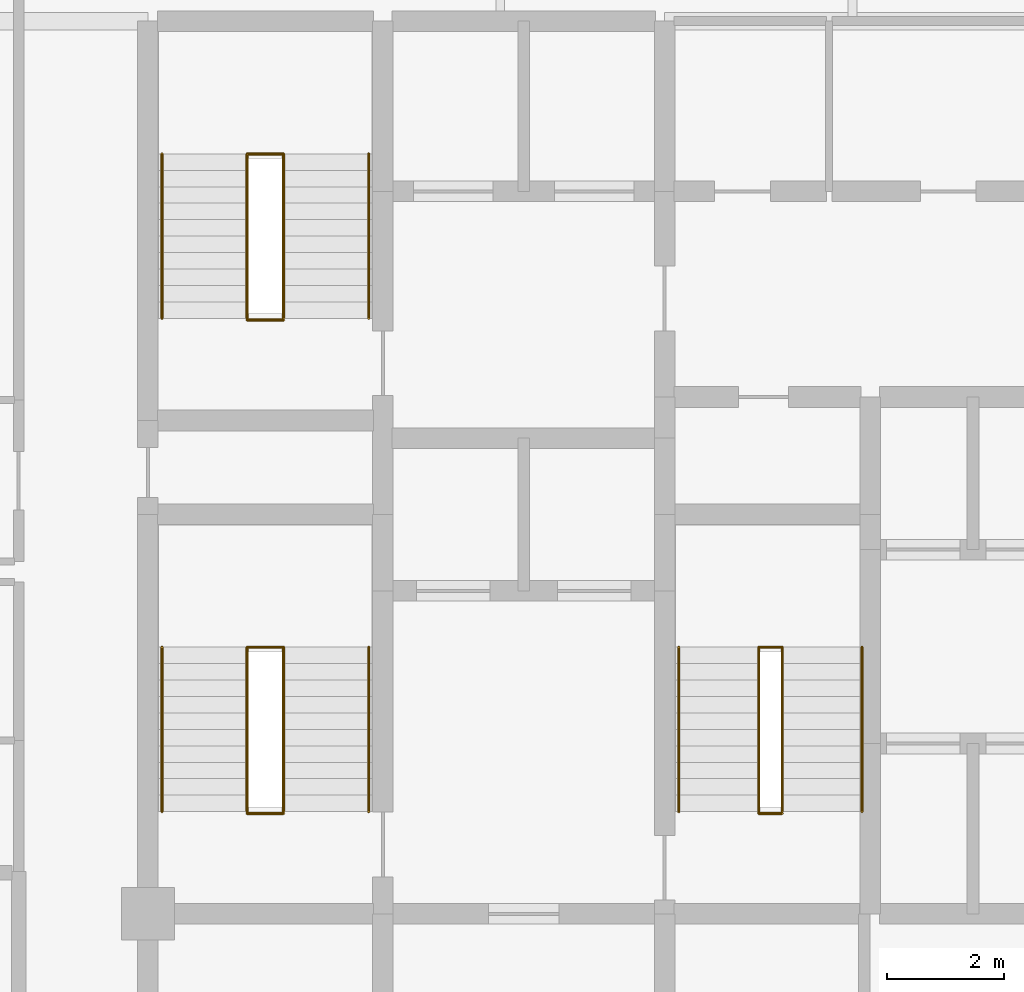
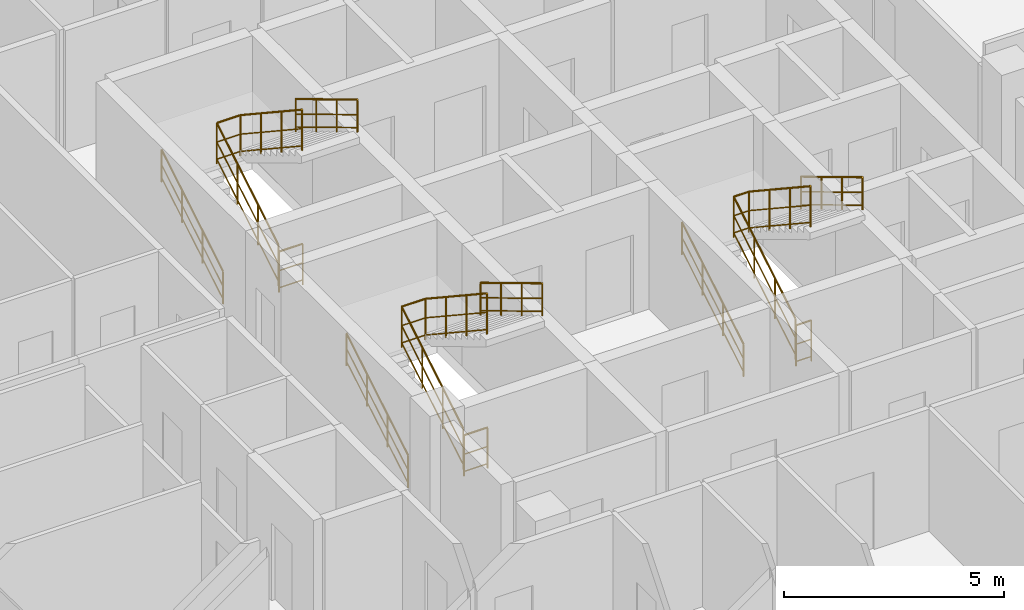
# One storey, part 32 of 32: 12 railings.
"""IFC4 building model written with IfcOpenShell, lengths in metres."""

import ifcopenshell
import ifcopenshell.guid

model = None  # the IFC model being written
_history = None  # IfcOwnerHistory: only IFC2X3 demands one
_inside = {}  # id of a spatial element -> (the spatial element, [elements in it])
_under = {}  # id of a project, library or spatial element -> (it, [spatial elements below it])
_declared = {}  # id of a project -> (the project, [libraries it declares])
_typed = {}  # id of a type object -> (the type object, [elements of that type])
_made_of = {}  # id of a material, layer set ... -> (it, [elements and type objects made of it])


def new_model(schema):
    """Start an empty IFC model of exactly this schema.

    Asked for "IFC4X3", IfcOpenShell would pick the latest addendum, in which some entities
    have other attributes; the version numbers below select the first issue.
    IFC2X3 requires an IfcOwnerHistory on every rooted entity: one is made here for all.
    """
    global model, _history
    if schema == "IFC4X3":
        model = ifcopenshell.file(schema_version=(4, 3, 0, 0))
    else:
        model = ifcopenshell.file(schema=schema)
    _inside.clear()
    _under.clear()
    _declared.clear()
    _typed.clear()
    _made_of.clear()
    _history = None
    if model.schema == "IFC2X3":
        org = make("IfcOrganization", Name="unknown")
        user = make(
            "IfcPersonAndOrganization",
            ThePerson=make("IfcPerson", FamilyName="unknown"),
            TheOrganization=org,
        )
        app = make(
            "IfcApplication",
            ApplicationDeveloper=org,
            Version="unknown",
            ApplicationFullName="unknown",
            ApplicationIdentifier="unknown",
        )
        _history = make(
            "IfcOwnerHistory",
            OwningUser=user,
            OwningApplication=app,
            ChangeAction="ADDED",
            CreationDate=0,
        )
    return model


def make(cls, **values):
    """One entity of the class cls with the attributes given. An attribute that is None is left unset."""
    return model.create_entity(
        cls, **{name: value for name, value in values.items() if value is not None}
    )


def rooted(cls, **values):
    """An entity with a GlobalId (a new one), such as an element, a storey or a relation."""
    return make(cls, GlobalId=ifcopenshell.guid.new(), OwnerHistory=_history, **values)


def si_unit(unit_type, name, prefix=None):
    """IfcSIUnit, for example si_unit("LENGTHUNIT", "METRE", prefix="MILLI")."""
    return make("IfcSIUnit", UnitType=unit_type, Prefix=prefix, Name=name)


def assignment(units):
    """IfcUnitAssignment: the units of a project."""
    return None if units is None else make("IfcUnitAssignment", Units=units)


def point(xyz):
    """IfcCartesianPoint."""
    return None if xyz is None else make("IfcCartesianPoint", Coordinates=xyz)


def direction(xyz):
    """IfcDirection."""
    return None if xyz is None else make("IfcDirection", DirectionRatios=xyz)


def frame(location, z_axis=None, x_axis=None):
    """IfcAxis2Placement3D, a coordinate frame: its origin and axes. An axis left out is left unset."""
    return make(
        "IfcAxis2Placement3D",
        Location=point(location),
        Axis=direction(z_axis),
        RefDirection=direction(x_axis),
    )


def frame_2d(location, x_axis=None):
    """IfcAxis2Placement2D, a coordinate frame in the plane: its origin and x axis."""
    return make(
        "IfcAxis2Placement2D", Location=point(location), RefDirection=direction(x_axis)
    )


def origin():
    """The frame at (0, 0, 0) with its axes left unset."""
    return frame((0.0, 0.0, 0.0))


def origin_2d():
    """The frame at (0, 0) in the plane with its x axis left unset."""
    return frame_2d((0.0, 0.0))


def place(relative_to, where):
    """IfcLocalPlacement: puts the frame where relative to a parent placement (None: the world)."""
    return make(
        "IfcLocalPlacement", PlacementRelTo=relative_to, RelativePlacement=where
    )


def context(
    kind, dimensions, precision=None, world=None, true_north=None, identifier=None
):
    """IfcGeometricRepresentationContext, for example the 3D "Model" context."""
    return make(
        "IfcGeometricRepresentationContext",
        ContextIdentifier=identifier,
        ContextType=kind,
        CoordinateSpaceDimension=dimensions,
        Precision=precision,
        WorldCoordinateSystem=world,
        TrueNorth=true_north,
    )


def subcontext(parent, identifier, kind, view, scale=None):
    """IfcGeometricRepresentationSubContext, for example "Body" below "Model"."""
    return make(
        "IfcGeometricRepresentationSubContext",
        ContextIdentifier=identifier,
        ContextType=kind,
        ParentContext=parent,
        TargetScale=scale,
        TargetView=view,
    )


def project(units=None, contexts=None):
    """IfcProject with its units and contexts."""
    return rooted(
        "IfcProject",
        Name="project",
        RepresentationContexts=contexts,
        UnitsInContext=assignment(units),
    )


def spatial(cls, under=None, at=None, **own):
    """A site, building, storey or space (cls), placed at a placement, below another one or the project."""
    s = rooted(cls, ObjectPlacement=at, **own)
    if under is not None:
        _under.setdefault(under.id(), (under, []))[1].append(s)
    return s


def profile(cls, at=None, kind="AREA", **sizes):
    """A parametric profile (cls). Its sizes go by their IFC names, for example OverallWidth=200.0."""
    return make(cls, ProfileType=kind, Position=at, **sizes)


def circle(**sizes):
    """IfcCircleProfileDef."""
    return profile("IfcCircleProfileDef", **sizes)


def extrude(swept, where, along, depth):
    """IfcExtrudedAreaSolid: the profile swept, set in the frame where, extruded along a direction by depth."""
    return make(
        "IfcExtrudedAreaSolid",
        SweptArea=swept,
        Position=where,
        ExtrudedDirection=direction(along),
        Depth=depth,
    )


def shape(context_of_items, identifier, shape_type, items):
    """IfcShapeRepresentation: the items that make up one representation, for example the "Body"."""
    return make(
        "IfcShapeRepresentation",
        ContextOfItems=context_of_items,
        RepresentationIdentifier=identifier,
        RepresentationType=shape_type,
        Items=items,
    )


def material(Name=None, Category=None):
    """IfcMaterial."""
    return make("IfcMaterial", Name=Name, Category=Category)


def layer(
    of_material, thickness, ventilated=None, Name=None, Category=None, Priority=None
):
    """IfcMaterialLayer: one layer of a wall or slab, of a material (None: an air gap)."""
    return make(
        "IfcMaterialLayer",
        Material=of_material,
        LayerThickness=thickness,
        IsVentilated=ventilated,
        Name=Name,
        Category=Category,
        Priority=Priority,
    )


def layer_set(layers, Name=None):
    """IfcMaterialLayerSet."""
    return make("IfcMaterialLayerSet", MaterialLayers=layers, LayerSetName=Name)


def made_of(thing, what):
    """Note that an element or type object is made of a material, layer set ...; save() writes the relation."""
    if what is not None:
        _made_of.setdefault(what.id(), (what, []))[1].append(thing)
    return thing


def type_object(cls, material=None, **own):
    """A type object (cls), such as IfcWallType, which elements share."""
    return made_of(rooted(cls, **own), material)


def element(
    cls,
    number,
    at=None,
    inside=None,
    cuts=None,
    type_object=None,
    material=None,
    context=None,
    identifier="Body",
    shape_type=None,
    held_by="IfcProductDefinitionShape",
    body=None,
    shapes=None,
    **own,
):
    """One element of the class cls, such as IfcWall. Its Tag is "e" and its number.

    at: its placement. inside: the storey or other place that contains it. cuts: it is an
    opening in that element (IfcRelVoidsElement). A single representation is given by context,
    identifier, shape_type and body (its items); several are given by shapes. held_by: the class
    of the entity that holds the representations. save() writes the other relations.
    """
    e = rooted(cls, Tag="e%d" % number, ObjectPlacement=at, **own)
    if body is not None:
        shapes = [shape(context, identifier, shape_type, body)]
    if shapes is not None:
        e.Representation = make(held_by, Representations=shapes)
    if inside is not None:
        _inside.setdefault(inside.id(), (inside, []))[1].append(e)
    if cuts is not None:
        rooted(
            "IfcRelVoidsElement", RelatingBuildingElement=cuts, RelatedOpeningElement=e
        )
    if type_object is not None:
        _typed.setdefault(type_object.id(), (type_object, []))[1].append(e)
    return made_of(e, material)


def aggregate(whole, parts):
    """IfcRelAggregates: a whole, such as a stair, and the parts it consists of."""
    return rooted("IfcRelAggregates", RelatingObject=whole, RelatedObjects=parts)


def save(model, path):
    """Write the relations noted so far, then the file.

    IfcRelAggregates (storeys below a building ...), IfcRelContainedInSpatialStructure (elements
    in a storey), IfcRelDefinesByType, IfcRelAssociatesMaterial and IfcRelDeclares: one each for
    every whole, place, type object, material and project.
    """
    for whole, parts in _under.values():
        aggregate(whole, parts)
    for where, things in _inside.values():
        rooted(
            "IfcRelContainedInSpatialStructure",
            RelatedElements=things,
            RelatingStructure=where,
        )
    for kind, things in _typed.values():
        rooted("IfcRelDefinesByType", RelatedObjects=things, RelatingType=kind)
    for what, things in _made_of.values():
        rooted("IfcRelAssociatesMaterial", RelatedObjects=things, RelatingMaterial=what)
    for by, libraries in _declared.values():
        rooted("IfcRelDeclares", RelatingContext=by, RelatedDefinitions=libraries)
    model.write(path)


model = new_model("IFC4")

# Units and contexts
model_context = context("Model", 3, precision=1e-05, world=origin(), true_north=direction((0.0, 1.0)))
body_context = subcontext(model_context, "Body", "Model", "MODEL_VIEW")
ifc_project = project(units=[si_unit("LENGTHUNIT", "METRE"), si_unit("AREAUNIT", "SQUARE_METRE"), si_unit("VOLUMEUNIT", "CUBIC_METRE"), si_unit("PLANEANGLEUNIT", "RADIAN"), si_unit("MASSUNIT", "GRAM", prefix="KILO")], contexts=[model_context])

# Site, building, storey
site_placement = place(None, origin())
site = spatial("IfcSite", under=ifc_project, at=site_placement, CompositionType="ELEMENT")
building_placement = place(site_placement, origin())
building = spatial("IfcBuilding", under=site, at=building_placement, Name="Keshet Zoharim Tower", CompositionType="ELEMENT")
storey_placement = place(building_placement, frame((0.0, 0.0, 137.199951171875)))
storey = spatial("IfcBuildingStorey", under=building, at=storey_placement, Name="L33", CompositionType="ELEMENT", Elevation=137.199951171875)

# Railings
ifc_material = material(Name="Steel S355", Category="steel")
ifc_layer_1 = layer(ifc_material, 0.050048828125)
ifc_layer_set_1 = layer_set([ifc_layer_1], Name="Steel S355")
railing_type_1 = type_object("IfcRailingType", Name="RL-HND-092", PredefinedType="HANDRAIL", material=ifc_layer_set_1)
railing_1_placement = place(storey_placement, frame((15.239990234375, 24.43994140625, 0.168212890625)))
element("IfcRailing", 1, at=railing_1_placement, inside=storey, type_object=railing_type_1, Name="L33 ST-01 Flight 1 Wall Handrail", PredefinedType="HANDRAIL", context=body_context, shape_type="SweptSolid", body=[
    extrude(circle(Radius=0.02392578125, at=origin_2d()), frame((0.0, 0.0, 0.89599609375), z_axis=(0.0, 0.857242210791, 0.514913383045), x_axis=(-1.0, 0.0, 0.0)), (0.0, 0.0, 1.0), 3.266357421875),
    extrude(circle(Radius=0.01611328125, at=origin_2d()), frame((0.0, 0.0, 0.478271484375), z_axis=(0.0, 0.857242210791, 0.514913383045), x_axis=(-1.0, 0.0, 0.0)), (0.0, 0.0, 1.0), 3.266357421875),
    extrude(circle(Radius=0.01611328125, at=origin_2d()), frame((0.0, 0.0, 0.1201171875), z_axis=(0.0, 0.857242210791, 0.514913383045), x_axis=(-1.0, 0.0, 0.0)), (0.0, 0.0, 1.0), 3.266357421875),
    extrude(circle(Radius=0.02099609375, at=origin_2d()), origin(), (0.0, 0.0, 1.0), 0.871826171875),
    extrude(circle(Radius=0.02099609375, at=origin_2d()), frame((0.0, 0.933349609375, 0.560546875)), (0.0, 0.0, 1.0), 0.871826171875),
    extrude(circle(Radius=0.02099609375, at=origin_2d()), frame((0.0, 1.86669921875, 1.121337890625)), (0.0, 0.0, 1.0), 0.871826171875),
    extrude(circle(Radius=0.02099609375, at=origin_2d()), frame((0.0, 2.800048828125, 1.681884765625)), (0.0, 0.0, 1.0), 0.871826171875),
])
railing_2_placement = place(storey_placement, frame((18.760009765625, 27.239990234375, 2.018310546875)))
element("IfcRailing", 2, at=railing_2_placement, inside=storey, type_object=railing_type_1, Name="L33 ST-01 Flight 2 Wall Handrail", PredefinedType="HANDRAIL", context=body_context, shape_type="SweptSolid", body=[
    extrude(circle(Radius=0.02392578125, at=origin_2d()), frame((0.0, 0.0, 0.89599609375), z_axis=(0.0, -0.857275202839, 0.514858452973), x_axis=(1.0, 0.0, 0.0)), (0.0, 0.0, 1.0), 3.26611328125),
    extrude(circle(Radius=0.01611328125, at=origin_2d()), frame((0.0, 0.0, 0.478271484375), z_axis=(0.0, -0.857275202839, 0.514858452973), x_axis=(1.0, 0.0, 0.0)), (0.0, 0.0, 1.0), 3.26611328125),
    extrude(circle(Radius=0.01611328125, at=origin_2d()), frame((0.0, 0.0, 0.1201171875), z_axis=(0.0, -0.857275202839, 0.514858452973), x_axis=(1.0, 0.0, 0.0)), (0.0, 0.0, 1.0), 3.26611328125),
    extrude(circle(Radius=0.02099609375, at=origin_2d()), origin(), (0.0, 0.0, 1.0), 0.871826171875),
    extrude(circle(Radius=0.02099609375, at=origin_2d()), frame((0.0, -0.933349609375, 0.560546875)), (0.0, 0.0, 1.0), 0.871826171875),
    extrude(circle(Radius=0.02099609375, at=origin_2d()), frame((0.0, -1.86669921875, 1.12109375)), (0.0, 0.0, 1.0), 0.871826171875),
    extrude(circle(Radius=0.02099609375, at=origin_2d()), frame((0.0, -2.800048828125, 1.681640625)), (0.0, 0.0, 1.0), 0.871826171875),
])
railing_3_placement = place(storey_placement, frame((15.239990234375, 32.840087890625, 0.168212890625)))
element("IfcRailing", 3, at=railing_3_placement, inside=storey, type_object=railing_type_1, Name="L33 ST-02 Flight 1 Wall Handrail", PredefinedType="HANDRAIL", context=body_context, shape_type="SweptSolid", body=[
    extrude(circle(Radius=0.02392578125, at=origin_2d()), frame((0.0, 0.0, 0.89599609375), z_axis=(0.0, 0.857222391501, 0.514946377315), x_axis=(-1.0, 0.0, 0.0)), (0.0, 0.0, 1.0), 3.26611328125),
    extrude(circle(Radius=0.01611328125, at=origin_2d()), frame((0.0, 0.0, 0.478271484375), z_axis=(0.0, 0.857222391501, 0.514946377315), x_axis=(-1.0, 0.0, 0.0)), (0.0, 0.0, 1.0), 3.26611328125),
    extrude(circle(Radius=0.01611328125, at=origin_2d()), frame((0.0, 0.0, 0.1201171875), z_axis=(0.0, 0.857222391501, 0.514946377315), x_axis=(-1.0, 0.0, 0.0)), (0.0, 0.0, 1.0), 3.26611328125),
    extrude(circle(Radius=0.02099609375, at=origin_2d()), origin(), (0.0, 0.0, 1.0), 0.871826171875),
    extrude(circle(Radius=0.02099609375, at=origin_2d()), frame((0.0, 0.933349609375, 0.560546875)), (0.0, 0.0, 1.0), 0.871826171875),
    extrude(circle(Radius=0.02099609375, at=origin_2d()), frame((0.0, 1.866455078125, 1.121337890625)), (0.0, 0.0, 1.0), 0.871826171875),
    extrude(circle(Radius=0.02099609375, at=origin_2d()), frame((0.0, 2.7998046875, 1.681884765625)), (0.0, 0.0, 1.0), 0.871826171875),
])
railing_4_placement = place(storey_placement, frame((18.760009765625, 35.639892578125, 2.018310546875)))
element("IfcRailing", 4, at=railing_4_placement, inside=storey, type_object=railing_type_1, Name="L33 ST-02 Flight 2 Wall Handrail", PredefinedType="HANDRAIL", context=body_context, shape_type="SweptSolid", body=[
    extrude(circle(Radius=0.02392578125, at=origin_2d()), frame((0.0, 0.0, 0.89599609375), z_axis=(0.0, -0.857255387014, 0.514891446264), x_axis=(1.0, 0.0, 0.0)), (0.0, 0.0, 1.0), 3.26611328125),
    extrude(circle(Radius=0.01611328125, at=origin_2d()), frame((0.0, 0.0, 0.478271484375), z_axis=(0.0, -0.857255387014, 0.514891446264), x_axis=(1.0, 0.0, 0.0)), (0.0, 0.0, 1.0), 3.26611328125),
    extrude(circle(Radius=0.01611328125, at=origin_2d()), frame((0.0, 0.0, 0.1201171875), z_axis=(0.0, -0.857255387014, 0.514891446264), x_axis=(1.0, 0.0, 0.0)), (0.0, 0.0, 1.0), 3.26611328125),
    extrude(circle(Radius=0.02099609375, at=origin_2d()), origin(), (0.0, 0.0, 1.0), 0.871826171875),
    extrude(circle(Radius=0.02099609375, at=origin_2d()), frame((0.0, -0.933349609375, 0.560546875)), (0.0, 0.0, 1.0), 0.871826171875),
    extrude(circle(Radius=0.02099609375, at=origin_2d()), frame((0.0, -1.866455078125, 1.12109375)), (0.0, 0.0, 1.0), 0.871826171875),
    extrude(circle(Radius=0.02099609375, at=origin_2d()), frame((0.0, -2.7998046875, 1.681640625)), (0.0, 0.0, 1.0), 0.871826171875),
])
railing_5_placement = place(storey_placement, frame((24.0400390625, 24.43994140625, 0.168212890625)))
element("IfcRailing", 5, at=railing_5_placement, inside=storey, type_object=railing_type_1, Name="L33 ST-03 Flight 1 Wall Handrail", PredefinedType="HANDRAIL", context=body_context, shape_type="SweptSolid", body=[
    extrude(circle(Radius=0.02392578125, at=origin_2d()), frame((0.0, 0.0, 0.89599609375), z_axis=(0.0, 0.857242210791, 0.514913383045), x_axis=(-1.0, 0.0, 0.0)), (0.0, 0.0, 1.0), 3.266357421875),
    extrude(circle(Radius=0.01611328125, at=origin_2d()), frame((0.0, 0.0, 0.478271484375), z_axis=(0.0, 0.857242210791, 0.514913383045), x_axis=(-1.0, 0.0, 0.0)), (0.0, 0.0, 1.0), 3.266357421875),
    extrude(circle(Radius=0.01611328125, at=origin_2d()), frame((0.0, 0.0, 0.1201171875), z_axis=(0.0, 0.857242210791, 0.514913383045), x_axis=(-1.0, 0.0, 0.0)), (0.0, 0.0, 1.0), 3.266357421875),
    extrude(circle(Radius=0.02099609375, at=origin_2d()), origin(), (0.0, 0.0, 1.0), 0.871826171875),
    extrude(circle(Radius=0.02099609375, at=origin_2d()), frame((0.0, 0.933349609375, 0.560546875)), (0.0, 0.0, 1.0), 0.871826171875),
    extrude(circle(Radius=0.02099609375, at=origin_2d()), frame((0.0, 1.86669921875, 1.121337890625)), (0.0, 0.0, 1.0), 0.871826171875),
    extrude(circle(Radius=0.02099609375, at=origin_2d()), frame((0.0, 2.800048828125, 1.681884765625)), (0.0, 0.0, 1.0), 0.871826171875),
])
railing_6_placement = place(storey_placement, frame((27.159912109375, 27.239990234375, 2.018310546875)))
element("IfcRailing", 6, at=railing_6_placement, inside=storey, type_object=railing_type_1, Name="L33 ST-03 Flight 2 Wall Handrail", PredefinedType="HANDRAIL", context=body_context, shape_type="SweptSolid", body=[
    extrude(circle(Radius=0.02392578125, at=origin_2d()), frame((0.0, 0.0, 0.89599609375), z_axis=(0.0, -0.857275202839, 0.514858452973), x_axis=(1.0, 0.0, 0.0)), (0.0, 0.0, 1.0), 3.26611328125),
    extrude(circle(Radius=0.01611328125, at=origin_2d()), frame((0.0, 0.0, 0.478271484375), z_axis=(0.0, -0.857275202839, 0.514858452973), x_axis=(1.0, 0.0, 0.0)), (0.0, 0.0, 1.0), 3.26611328125),
    extrude(circle(Radius=0.01611328125, at=origin_2d()), frame((0.0, 0.0, 0.1201171875), z_axis=(0.0, -0.857275202839, 0.514858452973), x_axis=(1.0, 0.0, 0.0)), (0.0, 0.0, 1.0), 3.26611328125),
    extrude(circle(Radius=0.02099609375, at=origin_2d()), origin(), (0.0, 0.0, 1.0), 0.871826171875),
    extrude(circle(Radius=0.02099609375, at=origin_2d()), frame((0.0, -0.933349609375, 0.560546875)), (0.0, 0.0, 1.0), 0.871826171875),
    extrude(circle(Radius=0.02099609375, at=origin_2d()), frame((0.0, -1.86669921875, 1.12109375)), (0.0, 0.0, 1.0), 0.871826171875),
    extrude(circle(Radius=0.02099609375, at=origin_2d()), frame((0.0, -2.800048828125, 1.681640625)), (0.0, 0.0, 1.0), 0.871826171875),
])
ifc_layer_2 = layer(ifc_material, 0.06005859375)
ifc_layer_set_2 = layer_set([ifc_layer_2], Name="Steel S355")
railing_type_2 = type_object("IfcRailingType", Name="RL-STG-115", PredefinedType="GUARDRAIL", material=ifc_layer_set_2)
railing_7_placement = place(storey_placement, frame((16.68994140625, 24.43994140625, 0.168212890625)))
element("IfcRailing", 7, at=railing_7_placement, inside=storey, type_object=railing_type_2, Name="L33 ST-01 Inner Well Guardrail", PredefinedType="GUARDRAIL", context=body_context, shape_type="SweptSolid", body=[
    extrude(circle(Radius=0.02392578125, at=origin_2d()), frame((0.0, 0.0, 1.1259765625), z_axis=(0.0, 0.857242210791, 0.514913383045), x_axis=(-1.0, 0.0, 0.0)), (0.0, 0.0, 1.0), 3.266357421875),
    extrude(circle(Radius=0.01611328125, at=origin_2d()), frame((0.0, 0.0, 0.597900390625), z_axis=(0.0, 0.857242210791, 0.514913383045), x_axis=(-1.0, 0.0, 0.0)), (0.0, 0.0, 1.0), 3.266357421875),
    extrude(circle(Radius=0.01611328125, at=origin_2d()), frame((0.0, 0.0, 0.1201171875), z_axis=(0.0, 0.857242210791, 0.514913383045), x_axis=(-1.0, 0.0, 0.0)), (0.0, 0.0, 1.0), 3.266357421875),
    extrude(circle(Radius=0.02392578125, at=origin_2d()), frame((0.0, 2.800048828125, 2.8076171875), z_axis=(1.0, 0.0, 0.0), x_axis=(0.0, 1.0, 0.0)), (0.0, 0.0, 1.0), 0.6201171875),
    extrude(circle(Radius=0.01611328125, at=origin_2d()), frame((0.0, 2.800048828125, 2.27978515625), z_axis=(1.0, 0.0, 0.0), x_axis=(0.0, 1.0, 0.0)), (0.0, 0.0, 1.0), 0.6201171875),
    extrude(circle(Radius=0.01611328125, at=origin_2d()), frame((0.0, 2.800048828125, 1.802001953125), z_axis=(1.0, 0.0, 0.0), x_axis=(0.0, 1.0, 0.0)), (0.0, 0.0, 1.0), 0.6201171875),
    extrude(circle(Radius=0.02392578125, at=origin_2d()), frame((0.6201171875, 2.800048828125, 2.8076171875), z_axis=(0.0, -0.83435981716, 0.551220187865), x_axis=(1.0, 0.0, 0.0)), (0.0, 0.0, 1.0), 3.35595703125),
    extrude(circle(Radius=0.01611328125, at=origin_2d()), frame((0.6201171875, 2.800048828125, 2.27978515625), z_axis=(0.0, -0.83435981716, 0.551220187865), x_axis=(1.0, 0.0, 0.0)), (0.0, 0.0, 1.0), 3.35595703125),
    extrude(circle(Radius=0.01611328125, at=origin_2d()), frame((0.6201171875, 2.800048828125, 1.802001953125), z_axis=(0.0, -0.83435981716, 0.551220187865), x_axis=(1.0, 0.0, 0.0)), (0.0, 0.0, 1.0), 3.35595703125),
    extrude(circle(Radius=0.02099609375, at=origin_2d()), origin(), (0.0, 0.0, 1.0), 1.101806640625),
    extrude(circle(Radius=0.02099609375, at=origin_2d()), frame((0.0, 0.933349609375, 0.560546875)), (0.0, 0.0, 1.0), 1.101806640625),
    extrude(circle(Radius=0.02099609375, at=origin_2d()), frame((0.0, 1.86669921875, 1.121337890625)), (0.0, 0.0, 1.0), 1.101806640625),
    extrude(circle(Radius=0.02099609375, at=origin_2d()), frame((0.0, 2.800048828125, 1.681884765625)), (0.0, 0.0, 1.0), 1.101806640625),
    extrude(circle(Radius=0.02099609375, at=origin_2d()), frame((0.6201171875, 2.800048828125, 1.681884765625)), (0.0, 0.0, 1.0), 1.101806640625),
    extrude(circle(Radius=0.02099609375, at=origin_2d()), frame((0.6201171875, 1.86669921875, 2.298583984375)), (0.0, 0.0, 1.0), 1.101806640625),
    extrude(circle(Radius=0.02099609375, at=origin_2d()), frame((0.6201171875, 0.933349609375, 2.9150390625)), (0.0, 0.0, 1.0), 1.101806640625),
    extrude(circle(Radius=0.02099609375, at=origin_2d()), frame((0.6201171875, 0.0, 3.53173828125)), (0.0, 0.0, 1.0), 1.101806640625),
])
railing_8_placement = place(storey_placement, frame((16.68994140625, 24.409912109375, 0.0)))
element("IfcRailing", 8, at=railing_8_placement, inside=storey, type_object=railing_type_2, Name="L33 ST-01 Stairwell Floor Guardrail", PredefinedType="GUARDRAIL", context=body_context, shape_type="SweptSolid", body=[
    extrude(circle(Radius=0.02392578125, at=origin_2d()), frame((0.0, 0.0, 1.1259765625), z_axis=(1.0, 0.0, 0.0), x_axis=(0.0, 1.0, 0.0)), (0.0, 0.0, 1.0), 0.6201171875),
    extrude(circle(Radius=0.01611328125, at=origin_2d()), frame((0.0, 0.0, 0.597900390625), z_axis=(1.0, 0.0, 0.0), x_axis=(0.0, 1.0, 0.0)), (0.0, 0.0, 1.0), 0.6201171875),
    extrude(circle(Radius=0.01611328125, at=origin_2d()), frame((0.0, 0.0, 0.1201171875), z_axis=(1.0, 0.0, 0.0), x_axis=(0.0, 1.0, 0.0)), (0.0, 0.0, 1.0), 0.6201171875),
    extrude(circle(Radius=0.02099609375, at=origin_2d()), origin(), (0.0, 0.0, 1.0), 1.101806640625),
    extrude(circle(Radius=0.02099609375, at=origin_2d()), frame((0.6201171875, 0.0, 0.0)), (0.0, 0.0, 1.0), 1.101806640625),
])
railing_9_placement = place(storey_placement, frame((16.68994140625, 32.840087890625, 0.168212890625)))
element("IfcRailing", 9, at=railing_9_placement, inside=storey, type_object=railing_type_2, Name="L33 ST-02 Inner Well Guardrail", PredefinedType="GUARDRAIL", context=body_context, shape_type="SweptSolid", body=[
    extrude(circle(Radius=0.02392578125, at=origin_2d()), frame((0.0, 0.0, 1.1259765625), z_axis=(0.0, 0.857222391501, 0.514946377315), x_axis=(-1.0, 0.0, 0.0)), (0.0, 0.0, 1.0), 3.26611328125),
    extrude(circle(Radius=0.01611328125, at=origin_2d()), frame((0.0, 0.0, 0.597900390625), z_axis=(0.0, 0.857222391501, 0.514946377315), x_axis=(-1.0, 0.0, 0.0)), (0.0, 0.0, 1.0), 3.26611328125),
    extrude(circle(Radius=0.01611328125, at=origin_2d()), frame((0.0, 0.0, 0.1201171875), z_axis=(0.0, 0.857222391501, 0.514946377315), x_axis=(-1.0, 0.0, 0.0)), (0.0, 0.0, 1.0), 3.26611328125),
    extrude(circle(Radius=0.02392578125, at=origin_2d()), frame((0.0, 2.7998046875, 2.8076171875), z_axis=(1.0, 0.0, 0.0), x_axis=(0.0, 1.0, 0.0)), (0.0, 0.0, 1.0), 0.6201171875),
    extrude(circle(Radius=0.01611328125, at=origin_2d()), frame((0.0, 2.7998046875, 2.27978515625), z_axis=(1.0, 0.0, 0.0), x_axis=(0.0, 1.0, 0.0)), (0.0, 0.0, 1.0), 0.6201171875),
    extrude(circle(Radius=0.01611328125, at=origin_2d()), frame((0.0, 2.7998046875, 1.802001953125), z_axis=(1.0, 0.0, 0.0), x_axis=(0.0, 1.0, 0.0)), (0.0, 0.0, 1.0), 0.6201171875),
    extrude(circle(Radius=0.02392578125, at=origin_2d()), frame((0.6201171875, 2.7998046875, 2.8076171875), z_axis=(0.0, -0.834337710781, 0.551253647941), x_axis=(1.0, 0.0, 0.0)), (0.0, 0.0, 1.0), 3.355712890625),
    extrude(circle(Radius=0.01611328125, at=origin_2d()), frame((0.6201171875, 2.7998046875, 2.27978515625), z_axis=(0.0, -0.834337710781, 0.551253647941), x_axis=(1.0, 0.0, 0.0)), (0.0, 0.0, 1.0), 3.355712890625),
    extrude(circle(Radius=0.01611328125, at=origin_2d()), frame((0.6201171875, 2.7998046875, 1.802001953125), z_axis=(0.0, -0.834337710781, 0.551253647941), x_axis=(1.0, 0.0, 0.0)), (0.0, 0.0, 1.0), 3.355712890625),
    extrude(circle(Radius=0.02099609375, at=origin_2d()), origin(), (0.0, 0.0, 1.0), 1.101806640625),
    extrude(circle(Radius=0.02099609375, at=origin_2d()), frame((0.0, 0.933349609375, 0.560546875)), (0.0, 0.0, 1.0), 1.101806640625),
    extrude(circle(Radius=0.02099609375, at=origin_2d()), frame((0.0, 1.866455078125, 1.121337890625)), (0.0, 0.0, 1.0), 1.101806640625),
    extrude(circle(Radius=0.02099609375, at=origin_2d()), frame((0.0, 2.7998046875, 1.681884765625)), (0.0, 0.0, 1.0), 1.101806640625),
    extrude(circle(Radius=0.02099609375, at=origin_2d()), frame((0.6201171875, 2.7998046875, 1.681884765625)), (0.0, 0.0, 1.0), 1.101806640625),
    extrude(circle(Radius=0.02099609375, at=origin_2d()), frame((0.6201171875, 1.866455078125, 2.298583984375)), (0.0, 0.0, 1.0), 1.101806640625),
    extrude(circle(Radius=0.02099609375, at=origin_2d()), frame((0.6201171875, 0.933349609375, 2.9150390625)), (0.0, 0.0, 1.0), 1.101806640625),
    extrude(circle(Radius=0.02099609375, at=origin_2d()), frame((0.6201171875, 0.0, 3.53173828125)), (0.0, 0.0, 1.0), 1.101806640625),
])
railing_10_placement = place(storey_placement, frame((16.68994140625, 32.81005859375, 0.0)))
element("IfcRailing", 10, at=railing_10_placement, inside=storey, type_object=railing_type_2, Name="L33 ST-02 Stairwell Floor Guardrail", PredefinedType="GUARDRAIL", context=body_context, shape_type="SweptSolid", body=[
    extrude(circle(Radius=0.02392578125, at=origin_2d()), frame((0.0, 0.0, 1.1259765625), z_axis=(1.0, 0.0, 0.0), x_axis=(0.0, 1.0, 0.0)), (0.0, 0.0, 1.0), 0.6201171875),
    extrude(circle(Radius=0.01611328125, at=origin_2d()), frame((0.0, 0.0, 0.597900390625), z_axis=(1.0, 0.0, 0.0), x_axis=(0.0, 1.0, 0.0)), (0.0, 0.0, 1.0), 0.6201171875),
    extrude(circle(Radius=0.01611328125, at=origin_2d()), frame((0.0, 0.0, 0.1201171875), z_axis=(1.0, 0.0, 0.0), x_axis=(0.0, 1.0, 0.0)), (0.0, 0.0, 1.0), 0.6201171875),
    extrude(circle(Radius=0.02099609375, at=origin_2d()), origin(), (0.0, 0.0, 1.0), 1.101806640625),
    extrude(circle(Radius=0.02099609375, at=origin_2d()), frame((0.6201171875, 0.0, 0.0)), (0.0, 0.0, 1.0), 1.101806640625),
])
railing_11_placement = place(storey_placement, frame((25.39990234375, 24.43994140625, 0.168212890625)))
element("IfcRailing", 11, at=railing_11_placement, inside=storey, type_object=railing_type_2, Name="L33 ST-03 Inner Well Guardrail", PredefinedType="GUARDRAIL", context=body_context, shape_type="SweptSolid", body=[
    extrude(circle(Radius=0.02392578125, at=origin_2d()), frame((0.0, 0.0, 1.1259765625), z_axis=(0.0, 0.857242210791, 0.514913383045), x_axis=(-1.0, 0.0, 0.0)), (0.0, 0.0, 1.0), 3.266357421875),
    extrude(circle(Radius=0.01611328125, at=origin_2d()), frame((0.0, 0.0, 0.597900390625), z_axis=(0.0, 0.857242210791, 0.514913383045), x_axis=(-1.0, 0.0, 0.0)), (0.0, 0.0, 1.0), 3.266357421875),
    extrude(circle(Radius=0.01611328125, at=origin_2d()), frame((0.0, 0.0, 0.1201171875), z_axis=(0.0, 0.857242210791, 0.514913383045), x_axis=(-1.0, 0.0, 0.0)), (0.0, 0.0, 1.0), 3.266357421875),
    extrude(circle(Radius=0.02392578125, at=origin_2d()), frame((0.0, 2.800048828125, 2.8076171875), z_axis=(1.0, 0.0, 0.0), x_axis=(0.0, 1.0, 0.0)), (0.0, 0.0, 1.0), 0.400146484375),
    extrude(circle(Radius=0.01611328125, at=origin_2d()), frame((0.0, 2.800048828125, 2.27978515625), z_axis=(1.0, 0.0, 0.0), x_axis=(0.0, 1.0, 0.0)), (0.0, 0.0, 1.0), 0.400146484375),
    extrude(circle(Radius=0.01611328125, at=origin_2d()), frame((0.0, 2.800048828125, 1.802001953125), z_axis=(1.0, 0.0, 0.0), x_axis=(0.0, 1.0, 0.0)), (0.0, 0.0, 1.0), 0.400146484375),
    extrude(circle(Radius=0.02392578125, at=origin_2d()), frame((0.400146484375, 2.800048828125, 2.8076171875), z_axis=(0.0, -0.83435981716, 0.551220187865), x_axis=(1.0, 0.0, 0.0)), (0.0, 0.0, 1.0), 3.35595703125),
    extrude(circle(Radius=0.01611328125, at=origin_2d()), frame((0.400146484375, 2.800048828125, 2.27978515625), z_axis=(0.0, -0.83435981716, 0.551220187865), x_axis=(1.0, 0.0, 0.0)), (0.0, 0.0, 1.0), 3.35595703125),
    extrude(circle(Radius=0.01611328125, at=origin_2d()), frame((0.400146484375, 2.800048828125, 1.802001953125), z_axis=(0.0, -0.83435981716, 0.551220187865), x_axis=(1.0, 0.0, 0.0)), (0.0, 0.0, 1.0), 3.35595703125),
    extrude(circle(Radius=0.02099609375, at=origin_2d()), origin(), (0.0, 0.0, 1.0), 1.101806640625),
    extrude(circle(Radius=0.02099609375, at=origin_2d()), frame((0.0, 0.933349609375, 0.560546875)), (0.0, 0.0, 1.0), 1.101806640625),
    extrude(circle(Radius=0.02099609375, at=origin_2d()), frame((0.0, 1.86669921875, 1.121337890625)), (0.0, 0.0, 1.0), 1.101806640625),
    extrude(circle(Radius=0.02099609375, at=origin_2d()), frame((0.0, 2.800048828125, 1.681884765625)), (0.0, 0.0, 1.0), 1.101806640625),
    extrude(circle(Radius=0.02099609375, at=origin_2d()), frame((0.400146484375, 2.800048828125, 1.681884765625)), (0.0, 0.0, 1.0), 1.101806640625),
    extrude(circle(Radius=0.02099609375, at=origin_2d()), frame((0.400146484375, 1.86669921875, 2.298583984375)), (0.0, 0.0, 1.0), 1.101806640625),
    extrude(circle(Radius=0.02099609375, at=origin_2d()), frame((0.400146484375, 0.933349609375, 2.9150390625)), (0.0, 0.0, 1.0), 1.101806640625),
    extrude(circle(Radius=0.02099609375, at=origin_2d()), frame((0.400146484375, 0.0, 3.53173828125)), (0.0, 0.0, 1.0), 1.101806640625),
])
railing_12_placement = place(storey_placement, frame((25.39990234375, 24.409912109375, 0.0)))
element("IfcRailing", 12, at=railing_12_placement, inside=storey, type_object=railing_type_2, Name="L33 ST-03 Stairwell Floor Guardrail", PredefinedType="GUARDRAIL", context=body_context, shape_type="SweptSolid", body=[
    extrude(circle(Radius=0.02392578125, at=origin_2d()), frame((0.0, 0.0, 1.1259765625), z_axis=(1.0, 0.0, 0.0), x_axis=(0.0, 1.0, 0.0)), (0.0, 0.0, 1.0), 0.400146484375),
    extrude(circle(Radius=0.01611328125, at=origin_2d()), frame((0.0, 0.0, 0.597900390625), z_axis=(1.0, 0.0, 0.0), x_axis=(0.0, 1.0, 0.0)), (0.0, 0.0, 1.0), 0.400146484375),
    extrude(circle(Radius=0.01611328125, at=origin_2d()), frame((0.0, 0.0, 0.1201171875), z_axis=(1.0, 0.0, 0.0), x_axis=(0.0, 1.0, 0.0)), (0.0, 0.0, 1.0), 0.400146484375),
    extrude(circle(Radius=0.02099609375, at=origin_2d()), origin(), (0.0, 0.0, 1.0), 1.101806640625),
    extrude(circle(Radius=0.02099609375, at=origin_2d()), frame((0.400146484375, 0.0, 0.0)), (0.0, 0.0, 1.0), 1.101806640625),
])

save(model, "model.ifc")
